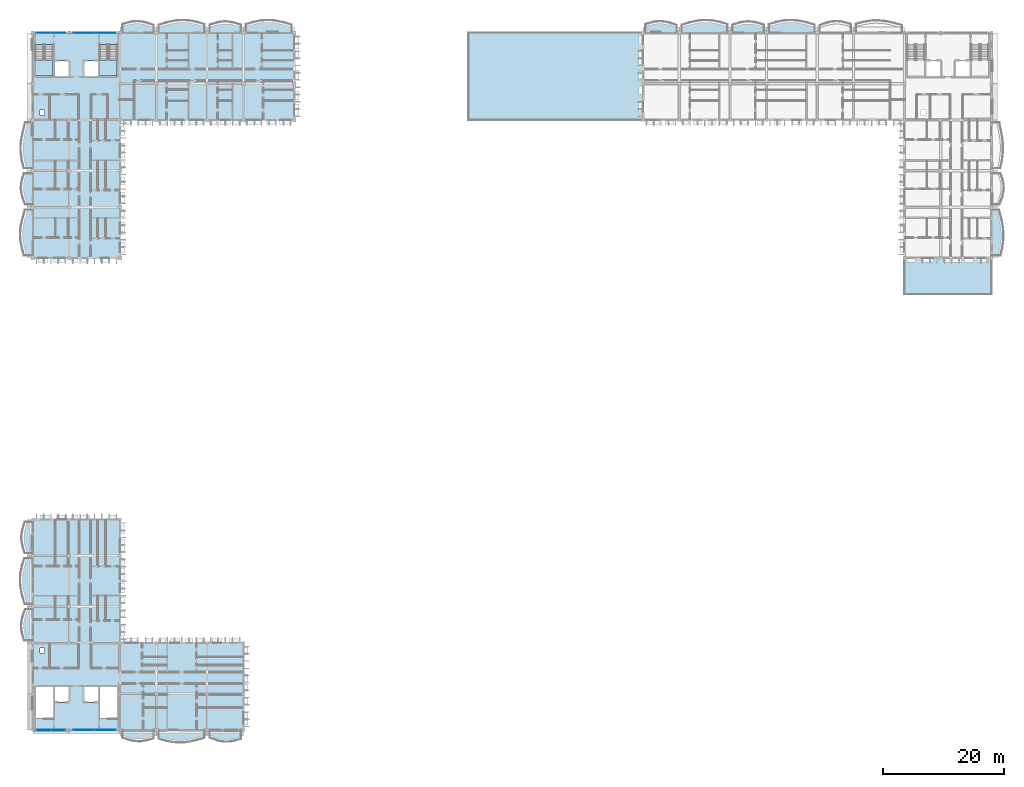
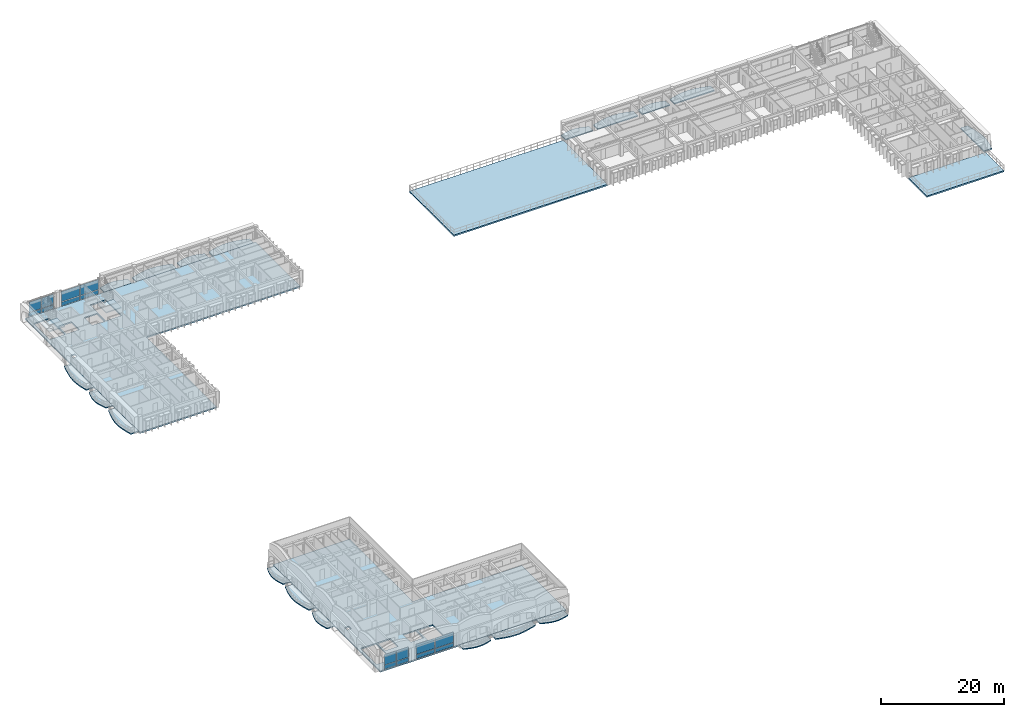
# One storey, part 8 of 45: 24 slabs, 16 plates, 6 elements without a shape of their own.
"""IFC4 building model written with IfcOpenShell, lengths in metres."""

from ifc_helpers import new_model, si_unit, direction, frame, origin, origin_2d, place, context, subcontext, project, spatial, polyline, rectangle, outline, extrude, material, layer, layer_set, type_object, element, aggregate, save


model = new_model("IFC4")

# Units and contexts
model_context = context("Model", 3, precision=1e-05, world=origin(), true_north=direction((0.0, 1.0)))
body_context = subcontext(model_context, "Body", "Model", "MODEL_VIEW")
ifc_project = project(units=[si_unit("LENGTHUNIT", "METRE"), si_unit("AREAUNIT", "SQUARE_METRE"), si_unit("VOLUMEUNIT", "CUBIC_METRE"), si_unit("PLANEANGLEUNIT", "RADIAN"), si_unit("MASSUNIT", "GRAM", prefix="KILO"), si_unit("THERMODYNAMICTEMPERATUREUNIT", "KELVIN")], contexts=[model_context])

# Site, building, storey
site_placement = place(None, origin())
site = spatial("IfcSite", under=ifc_project, at=site_placement, CompositionType="ELEMENT")
building_placement = place(site_placement, origin())
building = spatial("IfcBuilding", under=site, at=building_placement, Name="Thalorik Housing Commons", CompositionType="ELEMENT")
storey_placement = place(building_placement, frame((0.0, 0.0, 34.5)))
storey = spatial("IfcBuildingStorey", under=building, at=storey_placement, Name="L10", CompositionType="ELEMENT", Elevation=34.5)

# Curtain wall, plates
ifc_material_1 = material(Name="Anodised aluminium and solar-control low-E glass", Category="aluminium")
curtain_wall_type = type_object("IfcCurtainWallType", Name="ARC-CW-CORE", PredefinedType="USERDEFINED", material=ifc_material_1)
curtain_wall_1_placement = place(storey_placement, origin())
curtain_wall_1 = element("IfcCurtainWall", 1, at=curtain_wall_1_placement, inside=storey, type_object=curtain_wall_type, Name="L10 Curtain Wall CW-CORE-L10-A-046", ObjectType="CURTAIN WALL", PredefinedType="USERDEFINED")
ifc_material_2 = material(Name="Cobalt blue enamelled aluminium spandrel panel", Category="aluminium")
ifc_layer_1 = layer(ifc_material_2, 0.0458984375, Name="Cobalt blue enamelled aluminium spandrel panel", Category="aluminium")
ifc_layer_set_1 = layer_set([ifc_layer_1], Name="Cobalt blue enamelled aluminium spandrel panel")
plate_type_1 = type_object("IfcPlateType", Name="ARC-CP-BLU-46", PredefinedType="CURTAIN_PANEL", material=ifc_layer_set_1)
plate_1_placement = place(storey_placement, frame((12.574951171875, 123.60009765625, 0.080078125), z_axis=(0.0, 0.0, 1.0), x_axis=(-1.0, 0.0, 0.0)))
plate_1 = element("IfcPlate", 2, at=plate_1_placement, type_object=plate_type_1, Name="CW-CORE-L10-A-046 Spandrel Panel 1", PredefinedType="CURTAIN_PANEL", context=body_context, shape_type="SweptSolid", body=[
    extrude(rectangle(XDim=2.2900390625, YDim=0.0458984375, at=origin_2d()), origin(), (0.0, 0.0, 1.0), 0.760009765625),
])
plate_2_placement = place(storey_placement, frame((10.22509765625, 123.60009765625, 0.080078125), z_axis=(0.0, 0.0, 1.0), x_axis=(-1.0, 0.0, 0.0)))
plate_2 = element("IfcPlate", 3, at=plate_2_placement, type_object=plate_type_1, Name="CW-CORE-L10-A-046 Spandrel Panel 2", PredefinedType="CURTAIN_PANEL", context=body_context, shape_type="SweptSolid", body=[
    extrude(rectangle(XDim=2.2900390625, YDim=0.0458984375, at=origin_2d()), origin(), (0.0, 0.0, 1.0), 0.760009765625),
])

curtain_wall_2_placement = place(storey_placement, origin())
curtain_wall_2 = element("IfcCurtainWall", 4, at=curtain_wall_2_placement, inside=storey, type_object=curtain_wall_type, Name="L10 Curtain Wall CW-CORE-L10-C-172", ObjectType="CURTAIN WALL", PredefinedType="USERDEFINED")
plate_3_placement = place(storey_placement, frame((16.824951171875, 8.39990234375, 0.080078125), z_axis=(0.0, 0.0, 1.0), x_axis=(1.0, 0.0, 0.0)))
plate_3 = element("IfcPlate", 5, at=plate_3_placement, type_object=plate_type_1, Name="CW-CORE-L10-C-172 Spandrel Panel 1", PredefinedType="CURTAIN_PANEL", context=body_context, shape_type="SweptSolid", body=[
    extrude(rectangle(XDim=3.489990234375, YDim=0.0458984375, at=origin_2d()), origin(), (0.0, 0.0, 1.0), 0.760009765625),
])
plate_4_placement = place(storey_placement, frame((20.375, 8.39990234375, 0.080078125), z_axis=(0.0, 0.0, 1.0), x_axis=(1.0, 0.0, 0.0)))
plate_4 = element("IfcPlate", 6, at=plate_4_placement, type_object=plate_type_1, Name="CW-CORE-L10-C-172 Spandrel Panel 2", PredefinedType="CURTAIN_PANEL", context=body_context, shape_type="SweptSolid", body=[
    extrude(rectangle(XDim=3.489990234375, YDim=0.0458984375, at=origin_2d()), origin(), (0.0, 0.0, 1.0), 0.760009765625),
])

curtain_wall_3_placement = place(storey_placement, origin())
curtain_wall_3 = element("IfcCurtainWall", 7, at=curtain_wall_3_placement, inside=storey, type_object=curtain_wall_type, Name="L10 Curtain Wall CW-CORE-L10-A-045", ObjectType="CURTAIN WALL", PredefinedType="USERDEFINED")
ifc_material_3 = material(Name="Double solar-control low-E glass", Category="glass")
ifc_layer_2 = layer(ifc_material_3, 0.028076171875, Name="Double solar-control low-E glass", Category="glass")
ifc_layer_set_2 = layer_set([ifc_layer_2], Name="Double solar-control low-E glass")
plate_type_2 = type_object("IfcPlateType", Name="ARC-CP-GLZ-28", PredefinedType="CURTAIN_PANEL", material=ifc_layer_set_2)
plate_5_placement = place(storey_placement, frame((20.375, 123.60009765625, 0.919921875), z_axis=(0.0, 0.0, 1.0), x_axis=(-1.0, 0.0, 0.0)))
plate_5 = element("IfcPlate", 8, at=plate_5_placement, type_object=plate_type_2, Name="CW-CORE-L10-A-045 Vision Panel 1", PredefinedType="CURTAIN_PANEL", context=body_context, shape_type="SweptSolid", body=[
    extrude(rectangle(XDim=3.489990234375, YDim=0.028076171875, at=origin_2d()), origin(), (0.0, 0.0, 1.0), 2.0400390625),
])
plate_6_placement = place(storey_placement, frame((16.824951171875, 123.60009765625, 0.919921875), z_axis=(0.0, 0.0, 1.0), x_axis=(-1.0, 0.0, 0.0)))
plate_6 = element("IfcPlate", 9, at=plate_6_placement, type_object=plate_type_2, Name="CW-CORE-L10-A-045 Vision Panel 2", PredefinedType="CURTAIN_PANEL", context=body_context, shape_type="SweptSolid", body=[
    extrude(rectangle(XDim=3.489990234375, YDim=0.028076171875, at=origin_2d()), origin(), (0.0, 0.0, 1.0), 2.0400390625),
])

# Plate
plate_7_placement = place(storey_placement, frame((12.574951171875, 123.60009765625, 0.919921875), z_axis=(0.0, 0.0, 1.0), x_axis=(-1.0, 0.0, 0.0)))
plate_7 = element("IfcPlate", 10, at=plate_7_placement, type_object=plate_type_2, Name="CW-CORE-L10-A-046 Vision Panel 1", PredefinedType="CURTAIN_PANEL", context=body_context, shape_type="SweptSolid", body=[
    extrude(rectangle(XDim=2.2900390625, YDim=0.028076171875, at=origin_2d()), origin(), (0.0, 0.0, 1.0), 2.0400390625),
])

plate_8_placement = place(storey_placement, frame((10.22509765625, 123.60009765625, 0.919921875), z_axis=(0.0, 0.0, 1.0), x_axis=(-1.0, 0.0, 0.0)))
plate_8 = element("IfcPlate", 11, at=plate_8_placement, type_object=plate_type_2, Name="CW-CORE-L10-A-046 Vision Panel 2", PredefinedType="CURTAIN_PANEL", context=body_context, shape_type="SweptSolid", body=[
    extrude(rectangle(XDim=2.2900390625, YDim=0.028076171875, at=origin_2d()), origin(), (0.0, 0.0, 1.0), 2.0400390625),
])

aggregate(curtain_wall_1, [plate_1, plate_7, plate_2, plate_8])

# Curtain wall, plates
curtain_wall_4_placement = place(storey_placement, origin())
curtain_wall_4 = element("IfcCurtainWall", 12, at=curtain_wall_4_placement, inside=storey, type_object=curtain_wall_type, Name="L10 Curtain Wall CW-CORE-L10-C-171", ObjectType="CURTAIN WALL", PredefinedType="USERDEFINED")
plate_9_placement = place(storey_placement, frame((10.22509765625, 8.39990234375, 0.919921875), z_axis=(0.0, 0.0, 1.0), x_axis=(1.0, 0.0, 0.0)))
plate_9 = element("IfcPlate", 13, at=plate_9_placement, type_object=plate_type_2, Name="CW-CORE-L10-C-171 Vision Panel 1", PredefinedType="CURTAIN_PANEL", context=body_context, shape_type="SweptSolid", body=[
    extrude(rectangle(XDim=2.2900390625, YDim=0.028076171875, at=origin_2d()), origin(), (0.0, 0.0, 1.0), 2.0400390625),
])
plate_10_placement = place(storey_placement, frame((12.574951171875, 8.39990234375, 0.919921875), z_axis=(0.0, 0.0, 1.0), x_axis=(1.0, 0.0, 0.0)))
plate_10 = element("IfcPlate", 14, at=plate_10_placement, type_object=plate_type_2, Name="CW-CORE-L10-C-171 Vision Panel 2", PredefinedType="CURTAIN_PANEL", context=body_context, shape_type="SweptSolid", body=[
    extrude(rectangle(XDim=2.2900390625, YDim=0.028076171875, at=origin_2d()), origin(), (0.0, 0.0, 1.0), 2.0400390625),
])

# Plate
plate_11_placement = place(storey_placement, frame((16.824951171875, 8.39990234375, 0.919921875), z_axis=(0.0, 0.0, 1.0), x_axis=(1.0, 0.0, 0.0)))
plate_11 = element("IfcPlate", 15, at=plate_11_placement, type_object=plate_type_2, Name="CW-CORE-L10-C-172 Vision Panel 1", PredefinedType="CURTAIN_PANEL", context=body_context, shape_type="SweptSolid", body=[
    extrude(rectangle(XDim=3.489990234375, YDim=0.028076171875, at=origin_2d()), origin(), (0.0, 0.0, 1.0), 2.0400390625),
])

plate_12_placement = place(storey_placement, frame((20.375, 8.39990234375, 0.919921875), z_axis=(0.0, 0.0, 1.0), x_axis=(1.0, 0.0, 0.0)))
plate_12 = element("IfcPlate", 16, at=plate_12_placement, type_object=plate_type_2, Name="CW-CORE-L10-C-172 Vision Panel 2", PredefinedType="CURTAIN_PANEL", context=body_context, shape_type="SweptSolid", body=[
    extrude(rectangle(XDim=3.489990234375, YDim=0.028076171875, at=origin_2d()), origin(), (0.0, 0.0, 1.0), 2.0400390625),
])

aggregate(curtain_wall_2, [plate_3, plate_11, plate_4, plate_12])

ifc_material_4 = material(Name="Oxide red enamelled aluminium spandrel panel", Category="aluminium")
ifc_layer_3 = layer(ifc_material_4, 0.0419921875, Name="Oxide red enamelled aluminium spandrel panel", Category="aluminium")
ifc_layer_set_3 = layer_set([ifc_layer_3], Name="Oxide red enamelled aluminium spandrel panel")
plate_type_3 = type_object("IfcPlateType", Name="ARC-CP-RED-42", PredefinedType="CURTAIN_PANEL", material=ifc_layer_set_3)
plate_13_placement = place(storey_placement, frame((20.375, 123.60009765625, 0.080078125), z_axis=(0.0, 0.0, 1.0), x_axis=(-1.0, 0.0, 0.0)))
plate_13 = element("IfcPlate", 17, at=plate_13_placement, type_object=plate_type_3, Name="CW-CORE-L10-A-045 Spandrel Panel 1", PredefinedType="CURTAIN_PANEL", context=body_context, shape_type="SweptSolid", body=[
    extrude(rectangle(XDim=3.489990234375, YDim=0.0419921875, at=origin_2d()), origin(), (0.0, 0.0, 1.0), 0.760009765625),
])

plate_14_placement = place(storey_placement, frame((16.824951171875, 123.60009765625, 0.080078125), z_axis=(0.0, 0.0, 1.0), x_axis=(-1.0, 0.0, 0.0)))
plate_14 = element("IfcPlate", 18, at=plate_14_placement, type_object=plate_type_3, Name="CW-CORE-L10-A-045 Spandrel Panel 2", PredefinedType="CURTAIN_PANEL", context=body_context, shape_type="SweptSolid", body=[
    extrude(rectangle(XDim=3.489990234375, YDim=0.0419921875, at=origin_2d()), origin(), (0.0, 0.0, 1.0), 0.760009765625),
])

aggregate(curtain_wall_3, [plate_13, plate_5, plate_14, plate_6])

plate_15_placement = place(storey_placement, frame((10.22509765625, 8.39990234375, 0.080078125), z_axis=(0.0, 0.0, 1.0), x_axis=(1.0, 0.0, 0.0)))
plate_15 = element("IfcPlate", 19, at=plate_15_placement, type_object=plate_type_3, Name="CW-CORE-L10-C-171 Spandrel Panel 1", PredefinedType="CURTAIN_PANEL", context=body_context, shape_type="SweptSolid", body=[
    extrude(rectangle(XDim=2.2900390625, YDim=0.0419921875, at=origin_2d()), origin(), (0.0, 0.0, 1.0), 0.760009765625),
])

plate_16_placement = place(storey_placement, frame((12.574951171875, 8.39990234375, 0.080078125), z_axis=(0.0, 0.0, 1.0), x_axis=(1.0, 0.0, 0.0)))
plate_16 = element("IfcPlate", 20, at=plate_16_placement, type_object=plate_type_3, Name="CW-CORE-L10-C-171 Spandrel Panel 2", PredefinedType="CURTAIN_PANEL", context=body_context, shape_type="SweptSolid", body=[
    extrude(rectangle(XDim=2.2900390625, YDim=0.0419921875, at=origin_2d()), origin(), (0.0, 0.0, 1.0), 0.760009765625),
])

aggregate(curtain_wall_4, [plate_15, plate_9, plate_16, plate_10])

# Stair, slab
ifc_material_5 = material(Name="Precast concrete C40/50", Category="concrete")
stair_type = type_object("IfcStairType", Name="ARC-STR-1350-R20", PredefinedType="HALF_TURN_STAIR", material=ifc_material_5)
stair_1_placement = place(storey_placement, origin())
stair_1 = element("IfcStair", 21, at=stair_1_placement, inside=storey, type_object=stair_type, Name="L10 Block A Smoke-Proof Stair 1", PredefinedType="HALF_TURN_STAIR")
ifc_layer_4 = layer(ifc_material_5, 0.199951171875, Name="Precast concrete C40/50", Category="concrete")
ifc_layer_set_4 = layer_set([ifc_layer_4], Name="Precast concrete C40/50")
slab_type_1 = type_object("IfcSlabType", Name="ARC-SLB-STLND-200", PredefinedType="LANDING", material=ifc_layer_set_4)
slab_1_placement = place(storey_placement, frame((0.0, 0.0, 1.449951171875)))
slab_1 = element("IfcSlab", 22, at=slab_1_placement, type_object=slab_type_1, Name="ST-A1 landing 1", PredefinedType="LANDING", context=body_context, shape_type="SweptSolid", body=[
    extrude(outline(polyline([(8.85009765625, 119.090087890625), (8.85009765625, 116.449951171875), (11.75, 116.449951171875), (11.75, 119.090087890625), (8.85009765625, 119.090087890625)])), origin(), (0.0, 0.0, 1.0), 0.199951171875),
])
aggregate(stair_1, [slab_1])

stair_2_placement = place(storey_placement, origin())
stair_2 = element("IfcStair", 23, at=stair_2_placement, inside=storey, type_object=stair_type, Name="L10 Block A Smoke-Proof Stair 2", PredefinedType="HALF_TURN_STAIR")
slab_2_placement = place(storey_placement, frame((0.0, 0.0, 1.449951171875)))
slab_2 = element("IfcSlab", 24, at=slab_2_placement, type_object=slab_type_1, Name="ST-A2 landing 1", PredefinedType="LANDING", context=body_context, shape_type="SweptSolid", body=[
    extrude(outline(polyline([(19.449951171875, 119.090087890625), (19.449951171875, 116.449951171875), (22.35009765625, 116.449951171875), (22.35009765625, 119.090087890625), (19.449951171875, 119.090087890625)])), origin(), (0.0, 0.0, 1.0), 0.199951171875),
])
aggregate(stair_2, [slab_2])

# Slabs
ifc_layer_5 = layer(ifc_material_5, 0.199951171875, Name="Precast concrete C40/50", Category="concrete")
ifc_layer_set_5 = layer_set([ifc_layer_5], Name="Precast concrete C40/50")
slab_type_2 = type_object("IfcSlabType", Name="STR-SLB-BALC-200", PredefinedType="FLOOR", material=ifc_layer_set_5)
slab_3_placement = place(storey_placement, frame((0.0, 0.0, -0.199951171875)))
element("IfcSlab", 25, at=slab_3_placement, inside=storey, type_object=slab_type_2, Name="L10 Block A Cushion Balcony 69", PredefinedType="FLOOR", context=body_context, shape_type="SweptSolid", body=[
    extrude(outline(polyline([(23.219970703125, 123.60009765625), (28.3798828125, 123.60009765625), (28.3798828125, 124.856689453125), (27.949951171875, 125.009765625), (27.52001953125, 125.156005859375), (27.090087890625, 125.28564453125), (26.659912109375, 125.389892578125), (26.22998046875, 125.4619140625), (25.800048828125, 125.496826171875), (25.3701171875, 125.4931640625), (24.93994140625, 125.45166015625), (24.510009765625, 125.37548828125), (24.080078125, 125.270751953125), (23.64990234375, 125.1455078125), (23.219970703125, 125.0087890625), (23.219970703125, 123.60009765625)])), origin(), (0.0, 0.0, 1.0), 0.199951171875),
])
slab_4_placement = place(storey_placement, frame((0.0, 0.0, -0.199951171875)))
element("IfcSlab", 26, at=slab_4_placement, inside=storey, type_object=slab_type_2, Name="L10 Block A Cushion Balcony 71", PredefinedType="FLOOR", context=body_context, shape_type="SweptSolid", body=[
    extrude(outline(polyline([(37.6201171875, 123.60009765625), (42.780029296875, 123.60009765625), (42.780029296875, 124.917724609375), (42.35009765625, 125.056884765625), (41.919921875, 125.18798828125), (41.489990234375, 125.301025390625), (41.06005859375, 125.38818359375), (40.6298828125, 125.443115234375), (40.199951171875, 125.4619140625), (39.77001953125, 125.443115234375), (39.340087890625, 125.38818359375), (38.909912109375, 125.301025390625), (38.47998046875, 125.18798828125), (38.050048828125, 125.056884765625), (37.6201171875, 124.917724609375), (37.6201171875, 123.60009765625)])), origin(), (0.0, 0.0, 1.0), 0.199951171875),
])
slab_5_placement = place(storey_placement, frame((0.0, 0.0, -0.199951171875)))
element("IfcSlab", 27, at=slab_5_placement, inside=storey, type_object=slab_type_2, Name="L10 Block A Cushion Balcony 74", PredefinedType="FLOOR", context=body_context, shape_type="SweptSolid", body=[
    extrude(outline(polyline([(8.39990234375, 95.219970703125), (8.39990234375, 100.3798828125), (6.951416015625, 100.3798828125), (6.810791015625, 99.949951171875), (6.683349609375, 99.52001953125), (6.578125, 99.090087890625), (6.503173828125, 98.659912109375), (6.464111328125, 98.22998046875), (6.464599609375, 97.800048828125), (6.505126953125, 97.3701171875), (6.583740234375, 96.93994140625), (6.6953125, 96.510009765625), (6.833251953125, 96.080078125), (6.98828125, 95.64990234375), (7.14990234375, 95.219970703125), (8.39990234375, 95.219970703125)])), origin(), (0.0, 0.0, 1.0), 0.199951171875),
])
slab_6_placement = place(storey_placement, frame((0.0, 0.0, -0.199951171875)))
element("IfcSlab", 28, at=slab_6_placement, inside=storey, type_object=slab_type_2, Name="L10 Block B Cushion Balcony 224", PredefinedType="FLOOR", context=body_context, shape_type="SweptSolid", body=[
    extrude(outline(polyline([(109.6201171875, 123.60009765625), (114.780029296875, 123.60009765625), (114.780029296875, 124.856689453125), (114.35009765625, 125.009765625), (113.919921875, 125.156005859375), (113.489990234375, 125.28564453125), (113.06005859375, 125.389892578125), (112.6298828125, 125.4619140625), (112.199951171875, 125.496826171875), (111.77001953125, 125.4931640625), (111.340087890625, 125.45166015625), (110.909912109375, 125.37548828125), (110.47998046875, 125.270751953125), (110.050048828125, 125.1455078125), (109.6201171875, 125.0087890625), (109.6201171875, 123.60009765625)])), origin(), (0.0, 0.0, 1.0), 0.199951171875),
])
slab_7_placement = place(storey_placement, frame((0.0, 0.0, -0.199951171875)))
element("IfcSlab", 29, at=slab_7_placement, inside=storey, type_object=slab_type_2, Name="L10 Block B Cushion Balcony 226", PredefinedType="FLOOR", context=body_context, shape_type="SweptSolid", body=[
    extrude(outline(polyline([(124.02001953125, 123.60009765625), (129.179931640625, 123.60009765625), (129.179931640625, 124.917724609375), (128.75, 125.056884765625), (128.320068359375, 125.18798828125), (127.889892578125, 125.301025390625), (127.4599609375, 125.38818359375), (127.030029296875, 125.443115234375), (126.60009765625, 125.4619140625), (126.169921875, 125.443115234375), (125.739990234375, 125.38818359375), (125.31005859375, 125.301025390625), (124.8798828125, 125.18798828125), (124.449951171875, 125.056884765625), (124.02001953125, 124.917724609375), (124.02001953125, 123.60009765625)])), origin(), (0.0, 0.0, 1.0), 0.199951171875),
])
slab_8_placement = place(storey_placement, frame((0.0, 0.0, -0.199951171875)))
element("IfcSlab", 30, at=slab_8_placement, inside=storey, type_object=slab_type_2, Name="L10 Block C Cushion Balcony 323", PredefinedType="FLOOR", context=body_context, shape_type="SweptSolid", body=[
    extrude(outline(polyline([(8.39990234375, 23.219970703125), (8.39990234375, 28.3798828125), (7.143310546875, 28.3798828125), (6.990234375, 27.949951171875), (6.843994140625, 27.52001953125), (6.71435546875, 27.090087890625), (6.610107421875, 26.659912109375), (6.5380859375, 26.22998046875), (6.503173828125, 25.800048828125), (6.5068359375, 25.3701171875), (6.54833984375, 24.93994140625), (6.62451171875, 24.510009765625), (6.729248046875, 24.080078125), (6.8544921875, 23.64990234375), (6.9912109375, 23.219970703125), (8.39990234375, 23.219970703125)])), origin(), (0.0, 0.0, 1.0), 0.199951171875),
])
slab_9_placement = place(storey_placement, frame((0.0, 0.0, -0.199951171875)))
element("IfcSlab", 31, at=slab_9_placement, inside=storey, type_object=slab_type_2, Name="L10 Block C Cushion Balcony 325", PredefinedType="FLOOR", context=body_context, shape_type="SweptSolid", body=[
    extrude(outline(polyline([(8.39990234375, 37.6201171875), (8.39990234375, 42.780029296875), (7.082275390625, 42.780029296875), (6.943115234375, 42.35009765625), (6.81201171875, 41.919921875), (6.698974609375, 41.489990234375), (6.61181640625, 41.06005859375), (6.556884765625, 40.6298828125), (6.5380859375, 40.199951171875), (6.556884765625, 39.77001953125), (6.61181640625, 39.340087890625), (6.698974609375, 38.909912109375), (6.81201171875, 38.47998046875), (6.943115234375, 38.050048828125), (7.082275390625, 37.6201171875), (8.39990234375, 37.6201171875)])), origin(), (0.0, 0.0, 1.0), 0.199951171875),
])
slab_10_placement = place(storey_placement, frame((0.0, 0.0, -0.199951171875)))
element("IfcSlab", 32, at=slab_10_placement, inside=storey, type_object=slab_type_2, Name="L10 Block C Cushion Balcony 326", PredefinedType="FLOOR", context=body_context, shape_type="SweptSolid", body=[
    extrude(outline(polyline([(23.219970703125, 7.119384765625), (23.64990234375, 6.974365234375), (24.080078125, 6.83642578125), (24.510009765625, 6.715576171875), (24.93994140625, 6.6201171875), (25.3701171875, 6.556396484375), (25.800048828125, 6.52880859375), (26.22998046875, 6.539306640625), (26.659912109375, 6.586669921875), (27.090087890625, 6.6669921875), (27.52001953125, 6.7744140625), (27.949951171875, 6.90087890625), (28.3798828125, 7.037109375), (28.3798828125, 8.39990234375), (23.219970703125, 8.39990234375), (23.219970703125, 7.119384765625)])), origin(), (0.0, 0.0, 1.0), 0.199951171875),
])
slab_11_placement = place(storey_placement, frame((0.0, 0.0, -0.199951171875)))
element("IfcSlab", 33, at=slab_11_placement, inside=storey, type_object=slab_type_2, Name="L10 Block C Cushion Balcony 328", PredefinedType="FLOOR", context=body_context, shape_type="SweptSolid", body=[
    extrude(outline(polyline([(37.6201171875, 7.14990234375), (38.050048828125, 6.98828125), (38.47998046875, 6.833251953125), (38.909912109375, 6.6953125), (39.340087890625, 6.583740234375), (39.77001953125, 6.505126953125), (40.199951171875, 6.464599609375), (40.6298828125, 6.464111328125), (41.06005859375, 6.503173828125), (41.489990234375, 6.578125), (41.919921875, 6.683349609375), (42.35009765625, 6.810791015625), (42.780029296875, 6.951416015625), (42.780029296875, 8.39990234375), (37.6201171875, 8.39990234375), (37.6201171875, 7.14990234375)])), origin(), (0.0, 0.0, 1.0), 0.199951171875),
])
ifc_layer_6 = layer(ifc_material_5, 0.219970703125, Name="Precast concrete C40/50", Category="concrete")
ifc_layer_set_6 = layer_set([ifc_layer_6], Name="Precast concrete C40/50")
slab_type_3 = type_object("IfcSlabType", Name="STR-SLB-BALC-220", PredefinedType="FLOOR", material=ifc_layer_set_6)
slab_12_placement = place(storey_placement, frame((0.0, 0.0, -0.219970703125)))
element("IfcSlab", 34, at=slab_12_placement, inside=storey, type_object=slab_type_3, Name="L10 Block A Cushion Balcony 70", PredefinedType="FLOOR", context=body_context, shape_type="SweptSolid", body=[
    extrude(outline(polyline([(29.219970703125, 123.60009765625), (36.780029296875, 123.60009765625), (36.780029296875, 125.005859375), (36.14990234375, 125.193603515625), (35.52001953125, 125.365478515625), (34.889892578125, 125.509765625), (34.260009765625, 125.616455078125), (33.6298828125, 125.67822265625), (33.0, 125.69091796875), (32.3701171875, 125.653564453125), (31.739990234375, 125.569091796875), (31.110107421875, 125.44287109375), (30.47998046875, 125.2841796875), (29.85009765625, 125.104248046875), (29.219970703125, 124.9150390625), (29.219970703125, 123.60009765625)])), origin(), (0.0, 0.0, 1.0), 0.219970703125),
])
slab_13_placement = place(storey_placement, frame((0.0, 0.0, -0.219970703125)))
element("IfcSlab", 35, at=slab_13_placement, inside=storey, type_object=slab_type_3, Name="L10 Block A Cushion Balcony 72", PredefinedType="FLOOR", context=body_context, shape_type="SweptSolid", body=[
    extrude(outline(polyline([(43.6201171875, 123.60009765625), (51.179931640625, 123.60009765625), (51.179931640625, 124.9150390625), (50.550048828125, 125.104248046875), (49.919921875, 125.2841796875), (49.2900390625, 125.44287109375), (48.659912109375, 125.569091796875), (48.030029296875, 125.653564453125), (47.39990234375, 125.69091796875), (46.77001953125, 125.67822265625), (46.139892578125, 125.616455078125), (45.510009765625, 125.509765625), (44.8798828125, 125.365478515625), (44.25, 125.193603515625), (43.6201171875, 125.005859375), (43.6201171875, 123.60009765625)])), origin(), (0.0, 0.0, 1.0), 0.219970703125),
])
slab_14_placement = place(storey_placement, frame((0.0, 0.0, -0.219970703125)))
element("IfcSlab", 36, at=slab_14_placement, inside=storey, type_object=slab_type_3, Name="L10 Block A Cushion Balcony 73", PredefinedType="FLOOR", context=body_context, shape_type="SweptSolid", body=[
    extrude(outline(polyline([(8.39990234375, 86.820068359375), (8.39990234375, 94.3798828125), (7.12158203125, 94.3798828125), (6.938720703125, 93.75), (6.76171875, 93.1201171875), (6.602783203125, 92.489990234375), (6.47314453125, 91.860107421875), (6.381591796875, 91.22998046875), (6.3349609375, 90.60009765625), (6.3359375, 89.969970703125), (6.38525390625, 89.340087890625), (6.479248046875, 88.7099609375), (6.61181640625, 88.080078125), (6.773681640625, 87.449951171875), (6.95361328125, 86.820068359375), (8.39990234375, 86.820068359375)])), origin(), (0.0, 0.0, 1.0), 0.219970703125),
])
slab_15_placement = place(storey_placement, frame((0.0, 0.0, -0.219970703125)))
element("IfcSlab", 37, at=slab_15_placement, inside=storey, type_object=slab_type_3, Name="L10 Block A Cushion Balcony 75", PredefinedType="FLOOR", context=body_context, shape_type="SweptSolid", body=[
    extrude(outline(polyline([(8.39990234375, 101.219970703125), (8.39990234375, 108.780029296875), (7.149658203125, 108.780029296875), (6.9892578125, 108.14990234375), (6.8310546875, 107.52001953125), (6.685546875, 106.889892578125), (6.563232421875, 106.260009765625), (6.47216796875, 105.6298828125), (6.4189453125, 105.0), (6.40771484375, 104.3701171875), (6.438720703125, 103.739990234375), (6.510986328125, 103.110107421875), (6.618896484375, 102.47998046875), (6.755859375, 101.85009765625), (6.912353515625, 101.219970703125), (8.39990234375, 101.219970703125)])), origin(), (0.0, 0.0, 1.0), 0.219970703125),
])
slab_16_placement = place(storey_placement, frame((0.0, 0.0, -0.219970703125)))
element("IfcSlab", 38, at=slab_16_placement, inside=storey, type_object=slab_type_3, Name="L10 Block B Cushion Balcony 225", PredefinedType="FLOOR", context=body_context, shape_type="SweptSolid", body=[
    extrude(outline(polyline([(115.6201171875, 123.60009765625), (123.179931640625, 123.60009765625), (123.179931640625, 125.005859375), (122.550048828125, 125.193603515625), (121.919921875, 125.365478515625), (121.2900390625, 125.509765625), (120.659912109375, 125.616455078125), (120.030029296875, 125.67822265625), (119.39990234375, 125.69091796875), (118.77001953125, 125.653564453125), (118.139892578125, 125.569091796875), (117.510009765625, 125.44287109375), (116.8798828125, 125.2841796875), (116.25, 125.104248046875), (115.6201171875, 124.9150390625), (115.6201171875, 123.60009765625)])), origin(), (0.0, 0.0, 1.0), 0.219970703125),
])
slab_17_placement = place(storey_placement, frame((0.0, 0.0, -0.219970703125)))
element("IfcSlab", 39, at=slab_17_placement, inside=storey, type_object=slab_type_3, Name="L10 Block B Cushion Balcony 227", PredefinedType="FLOOR", context=body_context, shape_type="SweptSolid", body=[
    extrude(outline(polyline([(130.02001953125, 123.60009765625), (137.580078125, 123.60009765625), (137.580078125, 124.9150390625), (136.949951171875, 125.104248046875), (136.320068359375, 125.2841796875), (135.68994140625, 125.44287109375), (135.06005859375, 125.569091796875), (134.429931640625, 125.653564453125), (133.800048828125, 125.69091796875), (133.169921875, 125.67822265625), (132.5400390625, 125.616455078125), (131.909912109375, 125.509765625), (131.280029296875, 125.365478515625), (130.64990234375, 125.193603515625), (130.02001953125, 125.005859375), (130.02001953125, 123.60009765625)])), origin(), (0.0, 0.0, 1.0), 0.219970703125),
])
slab_18_placement = place(storey_placement, frame((0.0, 0.0, -0.219970703125)))
element("IfcSlab", 40, at=slab_18_placement, inside=storey, type_object=slab_type_3, Name="L10 Block B Cushion Balcony 230", PredefinedType="FLOOR", context=body_context, shape_type="SweptSolid", body=[
    extrude(outline(polyline([(168.28759765625, 86.820068359375), (168.444091796875, 87.449951171875), (168.5810546875, 88.080078125), (168.689208984375, 88.7099609375), (168.76123046875, 89.340087890625), (168.79248046875, 89.969970703125), (168.781005859375, 90.60009765625), (168.727783203125, 91.22998046875), (168.63671875, 91.860107421875), (168.514404296875, 92.489990234375), (168.368896484375, 93.1201171875), (168.210693359375, 93.75), (168.05029296875, 94.3798828125), (166.800048828125, 94.3798828125), (166.800048828125, 86.820068359375), (168.28759765625, 86.820068359375)])), origin(), (0.0, 0.0, 1.0), 0.219970703125),
])
slab_19_placement = place(storey_placement, frame((0.0, 0.0, -0.219970703125)))
element("IfcSlab", 41, at=slab_19_placement, inside=storey, type_object=slab_type_3, Name="L10 Block C Cushion Balcony 324", PredefinedType="FLOOR", context=body_context, shape_type="SweptSolid", body=[
    extrude(outline(polyline([(8.39990234375, 29.219970703125), (8.39990234375, 36.780029296875), (6.994140625, 36.780029296875), (6.806396484375, 36.14990234375), (6.634521484375, 35.52001953125), (6.490234375, 34.889892578125), (6.383544921875, 34.260009765625), (6.32177734375, 33.6298828125), (6.30908203125, 33.0), (6.346435546875, 32.3701171875), (6.430908203125, 31.739990234375), (6.55712890625, 31.110107421875), (6.7158203125, 30.47998046875), (6.895751953125, 29.85009765625), (7.0849609375, 29.219970703125), (8.39990234375, 29.219970703125)])), origin(), (0.0, 0.0, 1.0), 0.219970703125),
])
slab_20_placement = place(storey_placement, frame((0.0, 0.0, -0.219970703125)))
element("IfcSlab", 42, at=slab_20_placement, inside=storey, type_object=slab_type_3, Name="L10 Block C Cushion Balcony 327", PredefinedType="FLOOR", context=body_context, shape_type="SweptSolid", body=[
    extrude(outline(polyline([(29.219970703125, 6.95361328125), (29.85009765625, 6.773681640625), (30.47998046875, 6.61181640625), (31.110107421875, 6.479248046875), (31.739990234375, 6.38525390625), (32.3701171875, 6.3359375), (33.0, 6.3349609375), (33.6298828125, 6.381591796875), (34.260009765625, 6.47314453125), (34.889892578125, 6.602783203125), (35.52001953125, 6.76171875), (36.14990234375, 6.938720703125), (36.780029296875, 7.12158203125), (36.780029296875, 8.39990234375), (29.219970703125, 8.39990234375), (29.219970703125, 6.95361328125)])), origin(), (0.0, 0.0, 1.0), 0.219970703125),
])
ifc_material_6 = material(Name="Precast concrete C45/55", Category="concrete")
ifc_layer_7 = layer(ifc_material_6, 0.260009765625, Name="Precast concrete C45/55", Category="concrete")
ifc_layer_set_7 = layer_set([ifc_layer_7], Name="Precast concrete C45/55")
slab_type_4 = type_object("IfcSlabType", Name="STR-SLB-HC-260", PredefinedType="FLOOR", material=ifc_layer_set_7)
slab_21_placement = place(storey_placement, frame((0.0, 0.0, -0.260009765625)))
element("IfcSlab", 43, at=slab_21_placement, inside=storey, type_object=slab_type_4, Name="L10 Residential Block A Floor Slab", PredefinedType="FLOOR", context=body_context, shape_type="SweptSolid", body=[
    extrude(outline(polyline([(8.39990234375, 123.60009765625), (8.39990234375, 109.199951171875), (8.39990234375, 86.39990234375), (22.800048828125, 86.39990234375), (22.800048828125, 109.199951171875), (51.60009765625, 109.199951171875), (51.60009765625, 123.60009765625), (8.39990234375, 123.60009765625)]), holes=[polyline([(8.85009765625, 121.64990234375), (11.75, 121.64990234375), (11.75, 116.449951171875), (8.85009765625, 116.449951171875), (8.85009765625, 121.64990234375)]), polyline([(22.35009765625, 121.64990234375), (22.35009765625, 116.449951171875), (19.449951171875, 116.449951171875), (19.449951171875, 121.64990234375), (22.35009765625, 121.64990234375)]), polyline([(14.39990234375, 119.0), (14.39990234375, 116.449951171875), (12.0, 116.449951171875), (12.0, 119.0), (14.39990234375, 119.0)]), polyline([(19.199951171875, 116.449951171875), (16.800048828125, 116.449951171875), (16.800048828125, 119.0), (19.199951171875, 119.0), (19.199951171875, 116.449951171875)]), polyline([(9.550048828125, 110.050048828125), (9.550048828125, 110.85009765625), (10.35009765625, 110.85009765625), (10.35009765625, 110.050048828125), (9.550048828125, 110.050048828125)])]), origin(), (0.0, 0.0, 1.0), 0.260009765625),
])
slab_22_placement = place(storey_placement, frame((0.0, 0.0, -0.260009765625)))
element("IfcSlab", 44, at=slab_22_placement, inside=storey, type_object=slab_type_4, Name="L10 Residential Block C Floor Slab", PredefinedType="FLOOR", context=body_context, shape_type="SweptSolid", body=[
    extrude(outline(polyline([(8.39990234375, 8.39990234375), (22.800048828125, 8.39990234375), (43.199951171875, 8.39990234375), (43.199951171875, 22.800048828125), (22.800048828125, 22.800048828125), (22.800048828125, 43.199951171875), (8.39990234375, 43.199951171875), (8.39990234375, 8.39990234375)]), holes=[polyline([(11.75, 10.35009765625), (8.85009765625, 10.35009765625), (8.85009765625, 15.550048828125), (11.75, 15.550048828125), (11.75, 10.35009765625)]), polyline([(19.449951171875, 10.35009765625), (19.449951171875, 15.550048828125), (22.35009765625, 15.550048828125), (22.35009765625, 10.35009765625), (19.449951171875, 10.35009765625)]), polyline([(14.39990234375, 15.550048828125), (14.39990234375, 13.0), (12.0, 13.0), (12.0, 15.550048828125), (14.39990234375, 15.550048828125)]), polyline([(19.199951171875, 13.0), (16.800048828125, 13.0), (16.800048828125, 15.550048828125), (19.199951171875, 15.550048828125), (19.199951171875, 13.0)]), polyline([(9.550048828125, 21.14990234375), (9.550048828125, 21.949951171875), (10.35009765625, 21.949951171875), (10.35009765625, 21.14990234375), (9.550048828125, 21.14990234375)])]), origin(), (0.0, 0.0, 1.0), 0.260009765625),
])
ifc_layer_8 = layer(ifc_material_6, 0.280029296875, Name="Precast concrete C45/55", Category="concrete")
ifc_layer_set_8 = layer_set([ifc_layer_8], Name="Precast concrete C45/55")
slab_type_5 = type_object("IfcSlabType", Name="STR-SLB-TERR-280", PredefinedType="FLOOR", material=ifc_layer_set_8)
slab_23_placement = place(storey_placement, frame((0.0, 0.0, -0.280029296875)))
element("IfcSlab", 45, at=slab_23_placement, inside=storey, type_object=slab_type_5, Name="L10 Block B L10 West Sky-Garden Terrace", PredefinedType="FLOOR", context=body_context, shape_type="SweptSolid", body=[
    extrude(outline(polyline([(109.199951171875, 109.199951171875), (109.199951171875, 123.60009765625), (80.39990234375, 123.60009765625), (80.39990234375, 109.199951171875), (109.199951171875, 109.199951171875)])), origin(), (0.0, 0.0, 1.0), 0.280029296875),
])
slab_24_placement = place(storey_placement, frame((0.0, 0.0, -0.280029296875)))
element("IfcSlab", 46, at=slab_24_placement, inside=storey, type_object=slab_type_5, Name="L10 Block B L10 South Roof Terrace", PredefinedType="FLOOR", context=body_context, shape_type="SweptSolid", body=[
    extrude(outline(polyline([(166.800048828125, 80.39990234375), (166.800048828125, 86.39990234375), (152.39990234375, 86.39990234375), (152.39990234375, 80.39990234375), (166.800048828125, 80.39990234375)])), origin(), (0.0, 0.0, 1.0), 0.280029296875),
])

save(model, "model.ifc")
